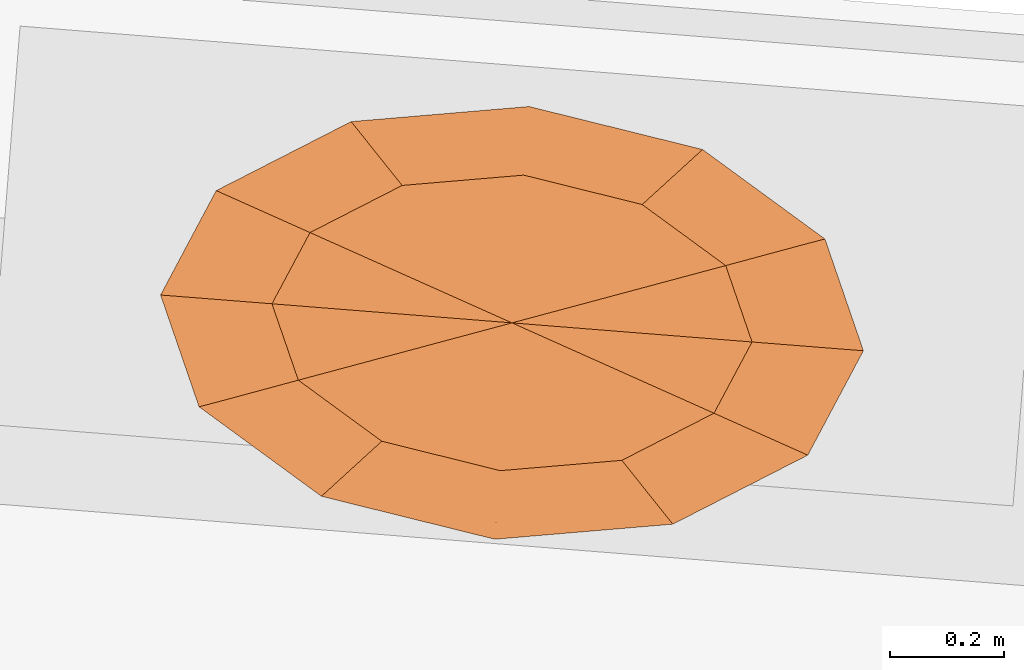
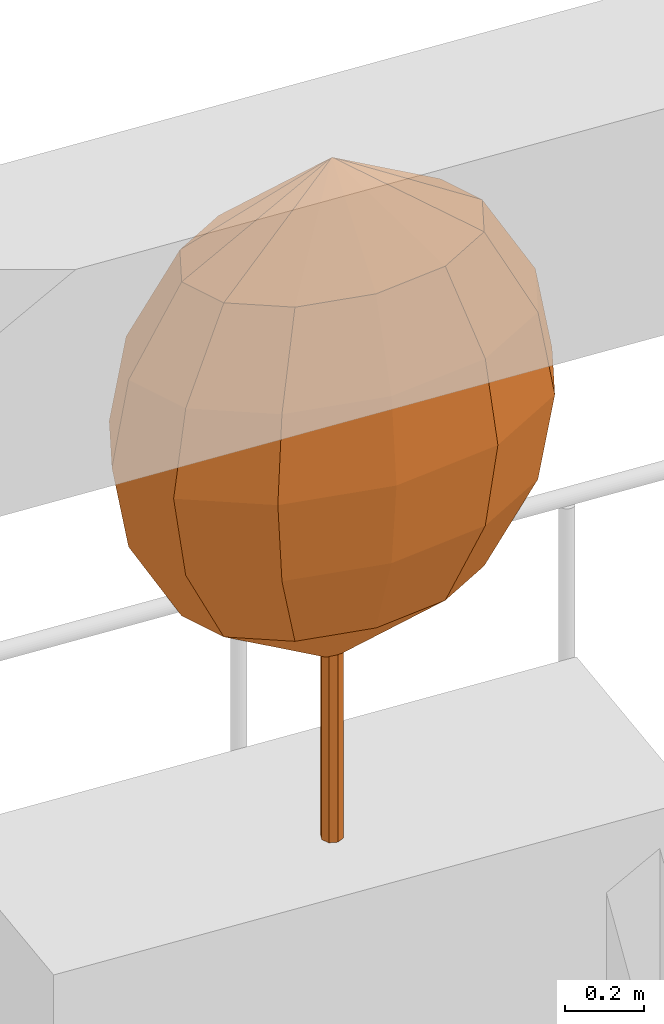
# One storey, part 12 of 12: 1 geographic element.
"""IFC4 building model written with IfcOpenShell, lengths in metres."""

from ifc_helpers import new_model, si_unit, direction, frame, origin, place, context, subcontext, project, spatial, faceted_brep, material, constituent, constituent_set, type_object, element, save


model = new_model("IFC4")

# Units and contexts
model_context = context("Model", 3, precision=1e-05, world=origin(), true_north=direction((0.0, 1.0)))
body_context = subcontext(model_context, "Body", "Model", "MODEL_VIEW")
ifc_project = project(units=[si_unit("LENGTHUNIT", "METRE"), si_unit("AREAUNIT", "SQUARE_METRE"), si_unit("VOLUMEUNIT", "CUBIC_METRE"), si_unit("PLANEANGLEUNIT", "RADIAN"), si_unit("MASSUNIT", "GRAM", prefix="KILO")], contexts=[model_context])

# Site, building, storey
site_placement = place(None, origin())
site = spatial("IfcSite", under=ifc_project, at=site_placement, CompositionType="ELEMENT")
building_placement = place(site_placement, origin())
building = spatial("IfcBuilding", under=site, at=building_placement, Name="Taillehof Tower", CompositionType="ELEMENT")
storey_placement = place(building_placement, frame((0.0, 0.0, 95.5)))
storey = spatial("IfcBuildingStorey", under=building, at=storey_placement, Name="L26", CompositionType="ELEMENT", Elevation=95.5)

# Geographic element
ifc_material_1 = material(Name="Tree bark", Category="timber")
ifc_constituent_1 = constituent(ifc_material_1, Name="Trunk", Category="timber")
ifc_material_2 = material(Name="Tree foliage")
ifc_constituent_2 = constituent(ifc_material_2, Name="Crown")
ifc_constituent_set = constituent_set(constituents=[ifc_constituent_1, ifc_constituent_2], Name="Tree TR1 Columnar hornbeam")
geographic_element_type = type_object("IfcGeographicElementType", Name="Tree TR1 Columnar hornbeam", PredefinedType="USERDEFINED", material=ifc_constituent_set)
geographic_element_placement = place(storey_placement, frame((3.072998046875, 23.007568359375, 0.75)))
element("IfcGeographicElement", 1, at=geographic_element_placement, inside=storey, type_object=geographic_element_type, Name="Tree TR1 Columnar hornbeam", ObjectType="TREE", PredefinedType="USERDEFINED", context=body_context, shape_type="Brep", body=[
    faceted_brep([(0.030029296875, 0.0, 0.0), (0.021240234375, 0.021240234375, 0.0), (0.021240234375, 0.021240234375, 1.092529296875), (0.030029296875, 0.0, 1.092529296875), (0.0, 0.030029296875, 0.0), (0.0, 0.030029296875, 1.092529296875), (-0.021240234375, 0.021240234375, 0.0), (-0.021240234375, 0.021240234375, 1.092529296875), (-0.030029296875, 0.0, 0.0), (-0.030029296875, 0.0, 1.092529296875), (-0.021240234375, -0.021240234375, 0.0), (-0.021240234375, -0.021240234375, 1.092529296875), (0.0, -0.030029296875, 0.0), (0.0, -0.030029296875, 1.092529296875), (0.021240234375, -0.021240234375, 0.0), (0.021240234375, -0.021240234375, 1.092529296875)], [[[0, 1, 2, 3]], [[1, 4, 5, 2]], [[4, 6, 7, 5]], [[6, 8, 9, 7]], [[8, 10, 11, 9]], [[10, 12, 13, 11]], [[12, 14, 15, 13]], [[14, 0, 3, 15]], [[14, 12, 10, 8, 6, 4, 1, 0]], [[3, 2, 5, 7, 9, 11, 13, 15]]]),
    faceted_brep([(0.0, 0.0, 0.550048828125), (-0.374267578125, -0.100341796875, 0.808349609375), (-0.42041015625, 0.033447265625, 0.808349609375), (-0.22802734375, -0.207275390625, 0.808349609375), (-0.0205078125, -0.2587890625, 0.808349609375), (0.1923828125, -0.24072265625, 0.808349609375), (0.353759765625, -0.158203125, 0.808349609375), (0.42041015625, -0.033447265625, 0.808349609375), (0.374267578125, 0.100341796875, 0.808349609375), (0.22802734375, 0.207275390625, 0.808349609375), (0.0205078125, 0.2587890625, 0.808349609375), (-0.1923828125, 0.24072265625, 0.808349609375), (-0.353759765625, 0.158203125, 0.808349609375), (-0.50634765625, -0.135986328125, 1.066650390625), (-0.56884765625, 0.045166015625, 1.066650390625), (-0.308349609375, -0.280517578125, 1.066650390625), (-0.02783203125, -0.35009765625, 1.066650390625), (0.26025390625, -0.32568359375, 1.066650390625), (0.478759765625, -0.214111328125, 1.066650390625), (0.56884765625, -0.045166015625, 1.066650390625), (0.50634765625, 0.135986328125, 1.066650390625), (0.308349609375, 0.280517578125, 1.066650390625), (0.02783203125, 0.35009765625, 1.066650390625), (-0.26025390625, 0.32568359375, 1.066650390625), (-0.478759765625, 0.214111328125, 1.066650390625), (-0.548095703125, -0.14697265625, 1.324951171875), (-0.615478515625, 0.048828125, 1.324951171875), (-0.333740234375, -0.3037109375, 1.324951171875), (-0.030029296875, -0.37890625, 1.324951171875), (0.28173828125, -0.3525390625, 1.324951171875), (0.51806640625, -0.231689453125, 1.324951171875), (0.615478515625, -0.048828125, 1.324951171875), (0.548095703125, 0.14697265625, 1.324951171875), (0.333740234375, 0.3037109375, 1.324951171875), (0.030029296875, 0.37890625, 1.324951171875), (-0.28173828125, 0.3525390625, 1.324951171875), (-0.51806640625, 0.231689453125, 1.324951171875), (-0.50634765625, -0.135986328125, 1.583251953125), (-0.56884765625, 0.045166015625, 1.583251953125), (-0.308349609375, -0.280517578125, 1.583251953125), (-0.02783203125, -0.35009765625, 1.583251953125), (0.26025390625, -0.32568359375, 1.583251953125), (0.478759765625, -0.214111328125, 1.583251953125), (0.56884765625, -0.045166015625, 1.583251953125), (0.50634765625, 0.135986328125, 1.583251953125), (0.308349609375, 0.280517578125, 1.583251953125), (0.02783203125, 0.35009765625, 1.583251953125), (-0.26025390625, 0.32568359375, 1.583251953125), (-0.478759765625, 0.214111328125, 1.583251953125), (-0.374267578125, -0.100341796875, 1.841552734375), (-0.42041015625, 0.033447265625, 1.841552734375), (-0.22802734375, -0.207275390625, 1.841552734375), (-0.0205078125, -0.2587890625, 1.841552734375), (0.1923828125, -0.24072265625, 1.841552734375), (0.353759765625, -0.158203125, 1.841552734375), (0.42041015625, -0.033447265625, 1.841552734375), (0.374267578125, 0.100341796875, 1.841552734375), (0.22802734375, 0.207275390625, 1.841552734375), (0.0205078125, 0.2587890625, 1.841552734375), (-0.1923828125, 0.24072265625, 1.841552734375), (-0.353759765625, 0.158203125, 1.841552734375), (0.0, 0.0, 2.10009765625)], [[[0, 1, 2]], [[0, 3, 1]], [[0, 4, 3]], [[0, 5, 4]], [[0, 6, 5]], [[0, 7, 6]], [[0, 8, 7]], [[0, 9, 8]], [[0, 10, 9]], [[0, 11, 10]], [[0, 12, 11]], [[0, 2, 12]], [[2, 1, 13, 14]], [[1, 3, 15, 13]], [[3, 4, 16, 15]], [[4, 5, 17, 16]], [[5, 6, 18, 17]], [[6, 7, 19, 18]], [[7, 8, 20, 19]], [[8, 9, 21, 20]], [[9, 10, 22, 21]], [[10, 11, 23, 22]], [[11, 12, 24, 23]], [[12, 2, 14, 24]], [[14, 13, 25, 26]], [[13, 15, 27, 25]], [[15, 16, 28, 27]], [[16, 17, 29, 28]], [[17, 18, 30, 29]], [[18, 19, 31, 30]], [[19, 20, 32, 31]], [[20, 21, 33, 32]], [[21, 22, 34, 33]], [[22, 23, 35, 34]], [[23, 24, 36, 35]], [[24, 14, 26, 36]], [[26, 25, 37, 38]], [[25, 27, 39, 37]], [[27, 28, 40, 39]], [[28, 29, 41, 40]], [[29, 30, 42, 41]], [[30, 31, 43, 42]], [[31, 32, 44, 43]], [[32, 33, 45, 44]], [[33, 34, 46, 45]], [[34, 35, 47, 46]], [[35, 36, 48, 47]], [[36, 26, 38, 48]], [[38, 37, 49, 50]], [[37, 39, 51, 49]], [[39, 40, 52, 51]], [[40, 41, 53, 52]], [[41, 42, 54, 53]], [[42, 43, 55, 54]], [[43, 44, 56, 55]], [[44, 45, 57, 56]], [[45, 46, 58, 57]], [[46, 47, 59, 58]], [[47, 48, 60, 59]], [[48, 38, 50, 60]], [[50, 49, 61]], [[49, 51, 61]], [[51, 52, 61]], [[52, 53, 61]], [[53, 54, 61]], [[54, 55, 61]], [[55, 56, 61]], [[56, 57, 61]], [[57, 58, 61]], [[58, 59, 61]], [[59, 60, 61]], [[60, 50, 61]]]),
])

save(model, "model.ifc")
